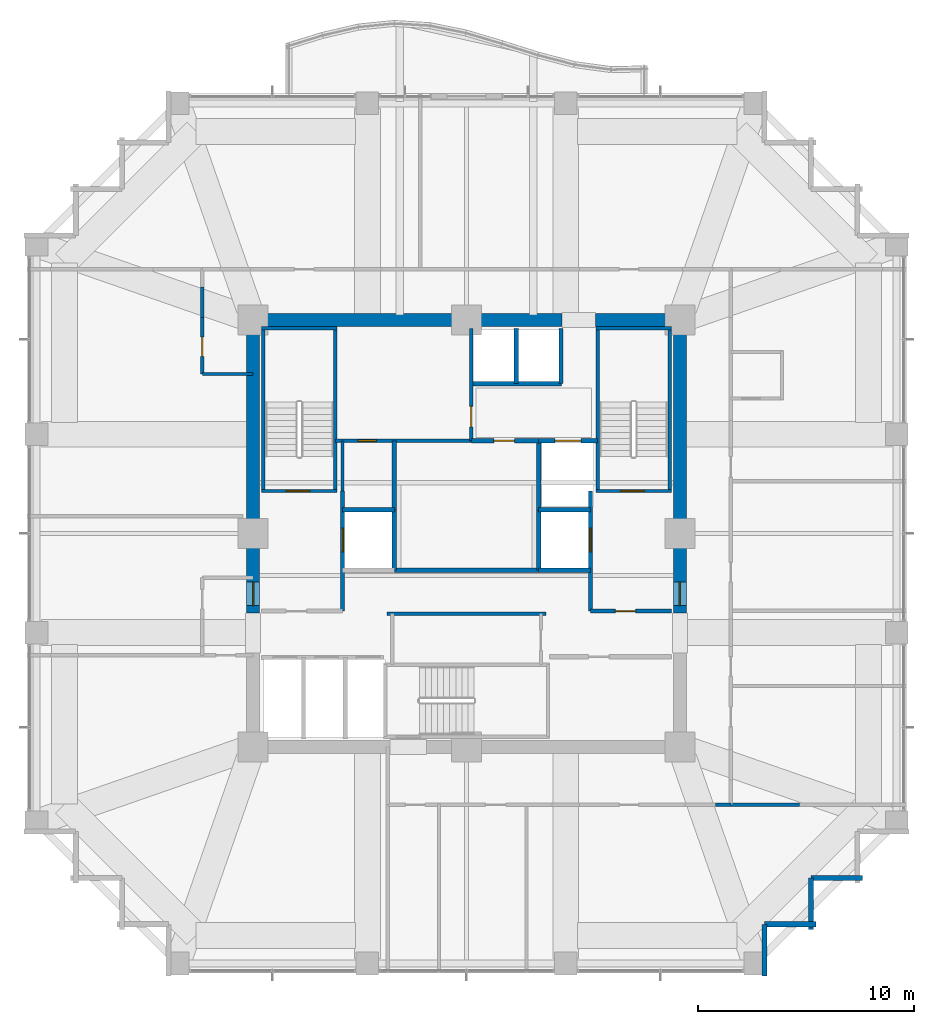
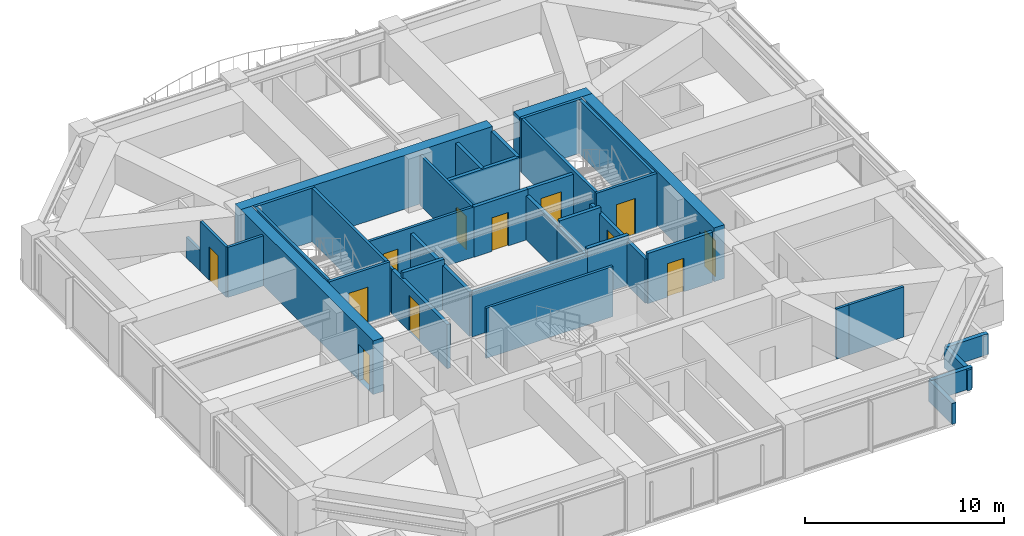
# One storey, part 31 of 34: 41 walls, 12 doors, 12 openings.
"""IFC4 building model written with IfcOpenShell, lengths in metres."""

from ifc_helpers import new_model, si_unit, direction, frame, frame_2d, origin, place, context, subcontext, project, spatial, rectangle, extrude, material, layer, layer_set, type_object, element, fill, save


model = new_model("IFC4")

# Units and contexts
model_context = context("Model", 3, precision=1e-05, world=origin(), true_north=direction((0.0, 1.0)))
body_context = subcontext(model_context, "Body", "Model", "MODEL_VIEW")
ifc_project = project(units=[si_unit("LENGTHUNIT", "METRE"), si_unit("AREAUNIT", "SQUARE_METRE"), si_unit("VOLUMEUNIT", "CUBIC_METRE"), si_unit("PLANEANGLEUNIT", "RADIAN"), si_unit("MASSUNIT", "GRAM", prefix="KILO")], contexts=[model_context])

# Site, building, storey
site_placement = place(None, origin())
site = spatial("IfcSite", under=ifc_project, at=site_placement, CompositionType="ELEMENT")
building_placement = place(site_placement, origin())
building = spatial("IfcBuilding", under=site, at=building_placement, Name="Kolvaren Belvedere", CompositionType="ELEMENT")
storey_placement = place(building_placement, frame((0.0, 0.0, 105.199951171875)))
storey = spatial("IfcBuildingStorey", under=building, at=storey_placement, Name="L30", CompositionType="ELEMENT", Elevation=105.199951171875)

# Walls
ifc_material_1 = material(Name="Concrete C60/75", Category="concrete")
ifc_layer_1 = layer(ifc_material_1, 0.60009765625)
ifc_layer_set_1 = layer_set([ifc_layer_1], Name="Concrete C60/75")
wall_type_1 = type_object("IfcWallType", Name="CW-CORE-600", PredefinedType="SHEAR", material=ifc_layer_set_1)
wall_1_placement = place(storey_placement, frame((-10.199951171875, 9.89990234375, 0.0), z_axis=(0.0, 0.0, 1.0), x_axis=(1.0, 0.0, 0.0)))
element("IfcWall", 1, at=wall_1_placement, inside=storey, type_object=wall_type_1, Name="L30 North Core Shear Wall 1", PredefinedType="SHEAR", context=body_context, shape_type="SweptSolid", body=[
    extrude(rectangle(XDim=14.619873046875, YDim=0.60009765625, at=frame_2d((7.31005859375, 0.0))), origin(), (0.0, 0.0, 1.0), 3.300048828125),
])
wall_2_placement = place(storey_placement, frame((5.97998046875, 9.89990234375, 0.0), z_axis=(0.0, 0.0, 1.0), x_axis=(1.0, 0.0, 0.0)))
element("IfcWall", 2, at=wall_2_placement, inside=storey, type_object=wall_type_1, Name="L30 North Core Shear Wall 2", PredefinedType="SHEAR", context=body_context, shape_type="SweptSolid", body=[
    extrude(rectangle(XDim=4.219970703125, YDim=0.60009765625, at=frame_2d((2.10986328125, 0.0))), origin(), (0.0, 0.0, 1.0), 3.300048828125),
])

# Wall, opening, door
wall_3_placement = place(storey_placement, frame((-9.89990234375, -3.699951171875, 0.0), z_axis=(0.0, 0.0, 1.0), x_axis=(0.0, 1.0, 0.0)))
wall_3 = element("IfcWall", 3, at=wall_3_placement, inside=storey, type_object=wall_type_1, Name="L30 West Core Shear Wall 2", PredefinedType="SHEAR", context=body_context, shape_type="SweptSolid", body=[
    extrude(rectangle(XDim=13.300048828125, YDim=0.60009765625, at=frame_2d((6.64990234375, 0.0))), origin(), (0.0, 0.0, 1.0), 3.300048828125),
])
opening_1_placement = place(wall_3_placement, frame((0.35009765625, 0.0, 0.0)))
opening_1 = element("IfcOpeningElement", 4, at=opening_1_placement, cuts=wall_3, Name="Opening D-FD90", PredefinedType="OPENING", context=body_context, shape_type="SweptSolid", body=[
    extrude(rectangle(XDim=1.10009765625, YDim=2.199951171875, at=frame_2d((0.550048828125, 1.10009765625))), frame((0.0, 0.31005859375, 0.0), z_axis=(0.0, -1.0, 0.0), x_axis=(1.0, 0.0, 0.0)), (0.0, 0.0, 1.0), 0.6201171875),
])
ifc_material_2 = material(Name="Painted hollow stainless steel", Category="steel")
door_type_1 = type_object("IfcDoorType", Name="DR-FD90-1100", OperationType="NOTDEFINED", PredefinedType="DOOR", material=ifc_material_2)
door_1_placement = place(opening_1_placement, origin())
door_1 = element("IfcDoor", 5, at=door_1_placement, inside=storey, type_object=door_type_1, Name="L30 West Firefighting Lobby Fire Door", OperationType="SINGLE_SWING_LEFT", OverallHeight=2.199951171875, OverallWidth=1.10009765625, PredefinedType="DOOR", context=body_context, shape_type="SweptSolid", body=[
    extrude(rectangle(XDim=1.10009765625, YDim=2.199951171875, at=frame_2d((0.550048828125, 1.10009765625))), frame((0.0, 0.02490234375, 0.0), z_axis=(0.0, -1.0, 0.0), x_axis=(1.0, 0.0, 0.0)), (0.0, 0.0, 1.0), 0.050048828125),
])
fill(opening_1, door_1)

wall_4_placement = place(storey_placement, frame((9.89990234375, -3.699951171875, 0.0), z_axis=(0.0, 0.0, 1.0), x_axis=(0.0, 1.0, 0.0)))
wall_4 = element("IfcWall", 6, at=wall_4_placement, inside=storey, type_object=wall_type_1, Name="L30 East Core Shear Wall 2", PredefinedType="SHEAR", context=body_context, shape_type="SweptSolid", body=[
    extrude(rectangle(XDim=13.300048828125, YDim=0.60009765625, at=frame_2d((6.64990234375, 0.0))), origin(), (0.0, 0.0, 1.0), 3.300048828125),
])
opening_2_placement = place(wall_4_placement, frame((0.35009765625, 0.0, 0.0)))
opening_2 = element("IfcOpeningElement", 7, at=opening_2_placement, cuts=wall_4, Name="Opening D-FD90", PredefinedType="OPENING", context=body_context, shape_type="SweptSolid", body=[
    extrude(rectangle(XDim=1.10009765625, YDim=2.199951171875, at=frame_2d((0.550048828125, 1.10009765625))), frame((0.0, 0.31005859375, 0.0), z_axis=(0.0, -1.0, 0.0), x_axis=(1.0, 0.0, 0.0)), (0.0, 0.0, 1.0), 0.6201171875),
])
door_2_placement = place(opening_2_placement, origin())
door_2 = element("IfcDoor", 8, at=door_2_placement, inside=storey, type_object=door_type_1, Name="L30 East Firefighting Lobby Fire Door", OperationType="SINGLE_SWING_RIGHT", OverallHeight=2.199951171875, OverallWidth=1.10009765625, PredefinedType="DOOR", context=body_context, shape_type="SweptSolid", body=[
    extrude(rectangle(XDim=1.10009765625, YDim=2.199951171875, at=frame_2d((0.550048828125, 1.10009765625))), frame((0.0, 0.02490234375, 0.0), z_axis=(0.0, -1.0, 0.0), x_axis=(1.0, 0.0, 0.0)), (0.0, 0.0, 1.0), 0.050048828125),
])
fill(opening_2, door_2)

ifc_material_3 = material(Name="Concrete C50/60", Category="concrete")
ifc_layer_2 = layer(ifc_material_3, 0.159912109375)
ifc_layer_set_2 = layer_set([ifc_layer_2], Name="Concrete C50/60")
wall_type_2 = type_object("IfcWallType", Name="CW-STAIR-160", PredefinedType="SHEAR", material=ifc_layer_set_2)
wall_5_placement = place(storey_placement, frame((-9.52001953125, 1.969970703125, 0.0), z_axis=(0.0, 0.0, 1.0), x_axis=(1.0, 0.0, 0.0)))
wall_5 = element("IfcWall", 9, at=wall_5_placement, inside=storey, type_object=wall_type_2, Name="L30 Stair ST-1 South Shear Wall", PredefinedType="SHEAR", context=body_context, shape_type="SweptSolid", body=[
    extrude(rectangle(XDim=3.52001953125, YDim=0.159912109375, at=frame_2d((1.760009765625, 0.0))), origin(), (0.0, 0.0, 1.0), 3.300048828125),
])
opening_3_placement = place(wall_5_placement, frame((1.14990234375, 0.0, 0.0)))
opening_3 = element("IfcOpeningElement", 10, at=opening_3_placement, cuts=wall_5, Name="Opening D-FD90", PredefinedType="OPENING", context=body_context, shape_type="SweptSolid", body=[
    extrude(rectangle(XDim=1.10009765625, YDim=2.199951171875, at=frame_2d((0.550048828125, 1.10009765625))), frame((0.0, 0.08984375, 0.0), z_axis=(0.0, -1.0, 0.0), x_axis=(1.0, 0.0, 0.0)), (0.0, 0.0, 1.0), 0.179931640625),
])
door_3_placement = place(opening_3_placement, origin())
door_3 = element("IfcDoor", 11, at=door_3_placement, inside=storey, type_object=door_type_1, Name="L30 Stair ST-1 Fire Door", OperationType="SINGLE_SWING_LEFT", OverallHeight=2.199951171875, OverallWidth=1.10009765625, PredefinedType="DOOR", context=body_context, shape_type="SweptSolid", body=[
    extrude(rectangle(XDim=1.10009765625, YDim=2.199951171875, at=frame_2d((0.550048828125, 1.10009765625))), frame((0.0, 0.02490234375, 0.0), z_axis=(0.0, -1.0, 0.0), x_axis=(1.0, 0.0, 0.0)), (0.0, 0.0, 1.0), 0.050048828125),
])
fill(opening_3, door_3)

# Walls
wall_6_placement = place(storey_placement, frame((-9.52001953125, 9.530029296875, 0.0), z_axis=(0.0, 0.0, 1.0), x_axis=(1.0, 0.0, 0.0)))
element("IfcWall", 12, at=wall_6_placement, inside=storey, type_object=wall_type_2, Name="L30 Stair ST-1 North Shear Wall", PredefinedType="SHEAR", context=body_context, shape_type="SweptSolid", body=[
    extrude(rectangle(XDim=3.52001953125, YDim=0.159912109375, at=frame_2d((1.760009765625, 0.0))), origin(), (0.0, 0.0, 1.0), 3.300048828125),
])
for number, where, z_axis, x_axis, name in (
    (13, (-9.429931640625, 1.969970703125, 0.0), (0.0, 0.0, 1.0), (0.0, 1.0, 0.0), "L30 Stair ST-1 West Shear Wall"),
    (14, (-6.080078125, 1.969970703125, 0.0), (0.0, 0.0, 1.0), (0.0, 1.0, 0.0), "L30 Stair ST-1 East Shear Wall"),
):
    element("IfcWall", number, at=place(storey_placement, frame(where, z_axis=z_axis, x_axis=x_axis)), inside=storey, type_object=wall_type_2, Name=name, PredefinedType="SHEAR", context=body_context, shape_type="SweptSolid", body=[
        extrude(rectangle(XDim=7.56005859375, YDim=0.159912109375, at=frame_2d((3.780029296875, 0.0))), origin(), (0.0, 0.0, 1.0), 3.300048828125),
    ])

# Wall, opening, door
wall_7_placement = place(storey_placement, frame((6.0, 1.969970703125, 0.0), z_axis=(0.0, 0.0, 1.0), x_axis=(1.0, 0.0, 0.0)))
wall_7 = element("IfcWall", 15, at=wall_7_placement, inside=storey, type_object=wall_type_2, Name="L30 Stair ST-2 South Shear Wall", PredefinedType="SHEAR", context=body_context, shape_type="SweptSolid", body=[
    extrude(rectangle(XDim=3.52001953125, YDim=0.159912109375, at=frame_2d((1.760009765625, 0.0))), origin(), (0.0, 0.0, 1.0), 3.300048828125),
])
opening_4_placement = place(wall_7_placement, frame((1.14990234375, 0.0, 0.0)))
opening_4 = element("IfcOpeningElement", 16, at=opening_4_placement, cuts=wall_7, Name="Opening D-FD90", PredefinedType="OPENING", context=body_context, shape_type="SweptSolid", body=[
    extrude(rectangle(XDim=1.10009765625, YDim=2.199951171875, at=frame_2d((0.550048828125, 1.10009765625))), frame((0.0, 0.08984375, 0.0), z_axis=(0.0, -1.0, 0.0), x_axis=(1.0, 0.0, 0.0)), (0.0, 0.0, 1.0), 0.179931640625),
])
door_4_placement = place(opening_4_placement, origin())
door_4 = element("IfcDoor", 17, at=door_4_placement, inside=storey, type_object=door_type_1, Name="L30 Stair ST-2 Fire Door", OperationType="SINGLE_SWING_RIGHT", OverallHeight=2.199951171875, OverallWidth=1.10009765625, PredefinedType="DOOR", context=body_context, shape_type="SweptSolid", body=[
    extrude(rectangle(XDim=1.10009765625, YDim=2.199951171875, at=frame_2d((0.550048828125, 1.10009765625))), frame((0.0, 0.02490234375, 0.0), z_axis=(0.0, -1.0, 0.0), x_axis=(1.0, 0.0, 0.0)), (0.0, 0.0, 1.0), 0.050048828125),
])
fill(opening_4, door_4)

# Walls
wall_8_placement = place(storey_placement, frame((6.0, 9.530029296875, 0.0), z_axis=(0.0, 0.0, 1.0), x_axis=(1.0, 0.0, 0.0)))
element("IfcWall", 18, at=wall_8_placement, inside=storey, type_object=wall_type_2, Name="L30 Stair ST-2 North Shear Wall", PredefinedType="SHEAR", context=body_context, shape_type="SweptSolid", body=[
    extrude(rectangle(XDim=3.52001953125, YDim=0.159912109375, at=frame_2d((1.760009765625, 0.0))), origin(), (0.0, 0.0, 1.0), 3.300048828125),
])
for number, where, z_axis, x_axis, name in (
    (19, (6.080078125, 1.969970703125, 0.0), (0.0, 0.0, 1.0), (0.0, 1.0, 0.0), "L30 Stair ST-2 West Shear Wall"),
    (20, (9.429931640625, 1.969970703125, 0.0), (0.0, 0.0, 1.0), (0.0, 1.0, 0.0), "L30 Stair ST-2 East Shear Wall"),
):
    element("IfcWall", number, at=place(storey_placement, frame(where, z_axis=z_axis, x_axis=x_axis)), inside=storey, type_object=wall_type_2, Name=name, PredefinedType="SHEAR", context=body_context, shape_type="SweptSolid", body=[
        extrude(rectangle(XDim=7.56005859375, YDim=0.159912109375, at=frame_2d((3.780029296875, 0.0))), origin(), (0.0, 0.0, 1.0), 3.300048828125),
    ])

# Wall, opening, door
ifc_material_4 = material(Name="Gypsum fire-rated partition assembly", Category="gypsum")
ifc_layer_3 = layer(ifc_material_4, 0.14990234375)
ifc_layer_set_3 = layer_set([ifc_layer_3], Name="Gypsum fire-rated partition assembly")
wall_type_3 = type_object("IfcWallType", Name="WL-CORR-150", PredefinedType="PARTITIONING", material=ifc_layer_set_3)
wall_9_placement = place(storey_placement, frame((-12.260009765625, 7.39990234375, 0.0), z_axis=(0.0, 0.0, 1.0), x_axis=(0.0, 1.0, 0.0)))
wall_9 = element("IfcWall", 21, at=wall_9_placement, inside=storey, type_object=wall_type_3, Name="L30 NW Corridor End Wall", PredefinedType="PARTITIONING", context=body_context, shape_type="SweptSolid", body=[
    extrude(rectangle(XDim=2.613525390625, YDim=0.14990234375, at=frame_2d((1.306640625, 0.0))), origin(), (0.0, 0.0, 1.0), 3.080078125),
])
opening_5_placement = place(wall_9_placement, frame((0.810302734375, 0.0, 0.0)))
opening_5 = element("IfcOpeningElement", 22, at=opening_5_placement, cuts=wall_9, Name="Opening D-INT90", PredefinedType="OPENING", context=body_context, shape_type="SweptSolid", body=[
    extrude(rectangle(XDim=0.89990234375, YDim=2.06005859375, at=frame_2d((0.449951171875, 1.030029296875))), frame((0.0, 0.0849609375, 0.0), z_axis=(0.0, -1.0, 0.0), x_axis=(1.0, 0.0, 0.0)), (0.0, 0.0, 1.0), 0.169921875),
])
ifc_material_5 = material(Name="Stained Pacific white oak", Category="timber")
door_type_2 = type_object("IfcDoorType", Name="DR-INT-900", OperationType="NOTDEFINED", PredefinedType="DOOR", material=ifc_material_5)
door_5_placement = place(opening_5_placement, origin())
door_5 = element("IfcDoor", 23, at=door_5_placement, inside=storey, type_object=door_type_2, Name="L30 Lounge 3007 Door", OperationType="SINGLE_SWING_RIGHT", OverallHeight=2.06005859375, OverallWidth=0.89990234375, PredefinedType="DOOR", context=body_context, shape_type="SweptSolid", body=[
    extrude(rectangle(XDim=0.89990234375, YDim=2.06005859375, at=frame_2d((0.449951171875, 1.030029296875))), frame((0.0, 0.02490234375, 0.0), z_axis=(0.0, -1.0, 0.0), x_axis=(1.0, 0.0, 0.0)), (0.0, 0.0, 1.0), 0.050048828125),
])
fill(opening_5, door_5)

# Walls
wall_10_placement = place(storey_placement, frame((-12.260009765625, 10.013427734375, 0.0), z_axis=(0.0, 0.0, 1.0), x_axis=(0.0, 1.0, 0.0)))
element("IfcWall", 24, at=wall_10_placement, inside=storey, type_object=wall_type_3, Name="L30 NW Corridor End Wall", PredefinedType="PARTITIONING", context=body_context, shape_type="SweptSolid", body=[
    extrude(rectangle(XDim=1.416748046875, YDim=0.14990234375, at=frame_2d((0.70849609375, 0.0))), origin(), (0.0, 0.0, 1.0), 1.26513671875),
])
wall_11_placement = place(storey_placement, frame((-12.260009765625, 7.39990234375, 0.0), z_axis=(0.0, 0.0, 1.0), x_axis=(1.0, 0.0, 0.0)))
element("IfcWall", 25, at=wall_11_placement, inside=storey, type_object=wall_type_3, Name="L30 NW Core Closure Wall", PredefinedType="PARTITIONING", context=body_context, shape_type="SweptSolid", body=[
    extrude(rectangle(XDim=2.360107421875, YDim=0.14990234375, at=frame_2d((1.18017578125, 0.0))), origin(), (0.0, 0.0, 1.0), 3.080078125),
])
wall_12_placement = place(storey_placement, frame((11.541748046875, -12.580078125, 0.0), z_axis=(0.0, 0.0, 1.0), x_axis=(1.0, 0.0, 0.0)))
element("IfcWall", 26, at=wall_12_placement, inside=storey, type_object=wall_type_3, Name="L30 South-East Corridor Wall", PredefinedType="PARTITIONING", context=body_context, shape_type="SweptSolid", body=[
    extrude(rectangle(XDim=0.71826171875, YDim=0.14990234375, at=frame_2d((0.359130859375, 0.0))), origin(), (0.0, 0.0, 1.0), 3.080078125),
])
ifc_material_6 = material(Name="Insulated pale-metal facade wall assembly", Category="aluminium")
ifc_layer_4 = layer(ifc_material_6, 0.239990234375)
ifc_layer_set_4 = layer_set([ifc_layer_4], Name="Insulated pale-metal facade wall assembly")
wall_type_4 = type_object("IfcWallType", Name="WL-EXT-240", PredefinedType="STANDARD", material=ifc_layer_set_4)
wall_13_placement = place(storey_placement, frame((13.830078125, -18.1298828125, 0.0), z_axis=(0.0, 0.0, 1.0), x_axis=(0.0, -1.0, 0.0)))
element("IfcWall", 27, at=wall_13_placement, inside=storey, type_object=wall_type_4, Name="L30 Serrated Corner Facade Wall 2", PredefinedType="STANDARD", context=body_context, shape_type="SweptSolid", body=[
    extrude(rectangle(XDim=2.39013671875, YDim=0.239990234375, at=frame_2d((1.195068359375, 0.0))), origin(), (0.0, 0.0, 1.0), 1.275146484375),
])
wall_14_placement = place(storey_placement, frame((16.219970703125, -18.1298828125, 0.0), z_axis=(0.0, 0.0, 1.0), x_axis=(-1.0, 0.0, 0.0)))
element("IfcWall", 28, at=wall_14_placement, inside=storey, type_object=wall_type_4, Name="L30 Serrated Corner Facade Wall 3", PredefinedType="STANDARD", context=body_context, shape_type="SweptSolid", body=[
    extrude(rectangle(XDim=2.389892578125, YDim=0.239990234375, at=frame_2d((1.19482421875, 0.0))), origin(), (0.0, 0.0, 1.0), 1.275146484375),
])
for number, where, z_axis, x_axis, name in (
    (29, (15.97998046875, -15.97998046875, 0.0), (0.0, 0.0, 1.0), (0.0, -1.0, 0.0), "L30 Serrated Corner Facade Wall 4"),
    (30, (18.3701171875, -15.97998046875, 0.0), (0.0, 0.0, 1.0), (-1.0, 0.0, 0.0), "L30 Serrated Corner Facade Wall 5"),
):
    element("IfcWall", number, at=place(storey_placement, frame(where, z_axis=z_axis, x_axis=x_axis)), inside=storey, type_object=wall_type_4, Name=name, PredefinedType="STANDARD", context=body_context, shape_type="SweptSolid", body=[
        extrude(rectangle(XDim=2.39013671875, YDim=0.239990234375, at=frame_2d((1.195068359375, 0.0))), origin(), (0.0, 0.0, 1.0), 1.275146484375),
    ])

# Wall, opening, door
ifc_material_7 = material(Name="Gypsum acoustic partition assembly", Category="gypsum")
ifc_layer_5 = layer(ifc_material_7, 0.14990234375)
ifc_layer_set_5 = layer_set([ifc_layer_5], Name="Gypsum acoustic partition assembly")
wall_type_5 = type_object("IfcWallType", Name="WL-PART-150", PredefinedType="PARTITIONING", material=ifc_layer_set_5)
wall_15_placement = place(storey_placement, frame((-6.080078125, 4.300048828125, 0.0), z_axis=(0.0, 0.0, 1.0), x_axis=(1.0, 0.0, 0.0)))
wall_15 = element("IfcWall", 31, at=wall_15_placement, inside=storey, type_object=wall_type_5, Name="L30 Reclaimed Salon South Wall", PredefinedType="PARTITIONING", context=body_context, shape_type="SweptSolid", body=[
    extrude(rectangle(XDim=6.300048828125, YDim=0.14990234375, at=frame_2d((3.14990234375, 0.0))), origin(), (0.0, 0.0, 1.0), 3.080078125),
])
opening_6_placement = place(wall_15_placement, frame((1.050048828125, 0.0, 0.0)))
opening_6 = element("IfcOpeningElement", 32, at=opening_6_placement, cuts=wall_15, Name="Opening D-INT85", PredefinedType="OPENING", context=body_context, shape_type="SweptSolid", body=[
    extrude(rectangle(XDim=0.85009765625, YDim=2.030029296875, at=frame_2d((0.425048828125, 1.01513671875))), frame((0.0, 0.0849609375, 0.0), z_axis=(0.0, -1.0, 0.0), x_axis=(1.0, 0.0, 0.0)), (0.0, 0.0, 1.0), 0.169921875),
])
ifc_material_8 = material(Name="Stained Pacific white oak", Category="timber")
door_type_3 = type_object("IfcDoorType", Name="DR-INT-850", OperationType="NOTDEFINED", PredefinedType="DOOR", material=ifc_material_8)
door_6_placement = place(opening_6_placement, origin())
door_6 = element("IfcDoor", 33, at=door_6_placement, inside=storey, type_object=door_type_3, Name="L30 NW Core Store Door", OperationType="SINGLE_SWING_RIGHT", OverallHeight=2.030029296875, OverallWidth=0.85009765625, PredefinedType="DOOR", context=body_context, shape_type="SweptSolid", body=[
    extrude(rectangle(XDim=0.85009765625, YDim=2.030029296875, at=frame_2d((0.425048828125, 1.01513671875))), frame((0.0, 0.02490234375, 0.0), z_axis=(0.0, -1.0, 0.0), x_axis=(1.0, 0.0, 0.0)), (0.0, 0.0, 1.0), 0.050048828125),
])
fill(opening_6, door_6)

wall_16_placement = place(storey_placement, frame((0.219970703125, 4.300048828125, 0.0), z_axis=(0.0, 0.0, 1.0), x_axis=(0.0, 1.0, 0.0)))
wall_16 = element("IfcWall", 34, at=wall_16_placement, inside=storey, type_object=wall_type_5, Name="L30 Reclaimed Salon East Wall", PredefinedType="PARTITIONING", context=body_context, shape_type="SweptSolid", body=[
    extrude(rectangle(XDim=5.219970703125, YDim=0.14990234375, at=frame_2d((2.60986328125, 0.0))), origin(), (0.0, 0.0, 1.0), 3.080078125),
])
opening_7_placement = place(wall_16_placement, frame((0.64990234375, 0.0, 0.0)))
opening_7 = element("IfcOpeningElement", 35, at=opening_7_placement, cuts=wall_16, Name="Opening D-INT95", PredefinedType="OPENING", context=body_context, shape_type="SweptSolid", body=[
    extrude(rectangle(XDim=0.949951171875, YDim=2.06005859375, at=frame_2d((0.47509765625, 1.030029296875))), frame((0.0, 0.0849609375, 0.0), z_axis=(0.0, -1.0, 0.0), x_axis=(1.0, 0.0, 0.0)), (0.0, 0.0, 1.0), 0.169921875),
])
ifc_material_9 = material(Name="Stained Pacific white oak", Category="timber")
door_type_4 = type_object("IfcDoorType", Name="DR-INT-950", OperationType="NOTDEFINED", PredefinedType="DOOR", material=ifc_material_9)
door_7_placement = place(opening_7_placement, origin())
door_7 = element("IfcDoor", 36, at=door_7_placement, inside=storey, type_object=door_type_4, Name="L30 Botanical Reading Salon Door", OperationType="SINGLE_SWING_LEFT", OverallHeight=2.06005859375, OverallWidth=0.949951171875, PredefinedType="DOOR", context=body_context, shape_type="SweptSolid", body=[
    extrude(rectangle(XDim=0.949951171875, YDim=2.06005859375, at=frame_2d((0.47509765625, 1.030029296875))), frame((0.0, 0.02490234375, 0.0), z_axis=(0.0, -1.0, 0.0), x_axis=(1.0, 0.0, 0.0)), (0.0, 0.0, 1.0), 0.050048828125),
])
fill(opening_7, door_7)

# Walls
wall_17_placement = place(storey_placement, frame((-3.679931640625, -3.719970703125, 0.0), z_axis=(0.0, 0.0, 1.0), x_axis=(1.0, 0.0, 0.0)))
element("IfcWall", 37, at=wall_17_placement, inside=storey, type_object=wall_type_5, Name="L30 South Core Service North Wall", PredefinedType="PARTITIONING", context=body_context, shape_type="SweptSolid", body=[
    extrude(rectangle(XDim=7.35986328125, YDim=0.14990234375, at=frame_2d((3.679931640625, 0.0))), origin(), (0.0, 0.0, 1.0), 3.080078125),
])
wall_18_placement = place(storey_placement, frame((-5.75, 1.969970703125, 0.0), z_axis=(0.0, 0.0, 1.0), x_axis=(0.0, 1.0, 0.0)))
element("IfcWall", 38, at=wall_18_placement, inside=storey, type_object=wall_type_5, Name="L30 NW Service Room West Wall", PredefinedType="PARTITIONING", context=body_context, shape_type="SweptSolid", body=[
    extrude(rectangle(XDim=2.330078125, YDim=0.14990234375, at=frame_2d((1.1650390625, 0.0))), origin(), (0.0, 0.0, 1.0), 2.715087890625),
])
wall_19_placement = place(storey_placement, frame((12.260009765625, -12.580078125, 0.0), z_axis=(0.0, 0.0, 1.0), x_axis=(1.0, 0.0, 0.0)))
element("IfcWall", 39, at=wall_19_placement, inside=storey, type_object=wall_type_5, Name="L30 Wing Divider PW-L30-QSE", PredefinedType="PARTITIONING", context=body_context, shape_type="SweptSolid", body=[
    extrude(rectangle(XDim=3.19482421875, YDim=0.14990234375, at=frame_2d((1.597412109375, 0.0))), origin(), (0.0, 0.0, 1.0), 3.080078125),
])

# Wall, opening, door
ifc_material_10 = material(Name="Concrete C50/60", Category="concrete")
ifc_layer_6 = layer(ifc_material_10, 0.199951171875)
ifc_layer_set_6 = layer_set([ifc_layer_6], Name="Concrete C50/60")
wall_type_6 = type_object("IfcWallType", Name="WL-SHAFT-200", PredefinedType="SOLIDWALL", material=ifc_layer_set_6)
wall_20_placement = place(storey_placement, frame((-5.75, -3.60009765625, 0.0), z_axis=(0.0, 0.0, 1.0), x_axis=(0.0, 1.0, 0.0)))
wall_20 = element("IfcWall", 40, at=wall_20_placement, inside=storey, type_object=wall_type_6, Name="L30 FSAE FS1 Landing Wall", PredefinedType="SOLIDWALL", context=body_context, shape_type="SweptSolid", body=[
    extrude(rectangle(XDim=5.570068359375, YDim=0.199951171875, at=frame_2d((2.78515625, 0.0))), origin(), (0.0, 0.0, 1.0), 2.715087890625),
])
opening_8_placement = place(wall_20_placement, frame((2.75, 0.0, 0.0)))
opening_8 = element("IfcOpeningElement", 41, at=opening_8_placement, cuts=wall_20, Name="Opening LD-11", PredefinedType="OPENING", context=body_context, shape_type="SweptSolid", body=[
    extrude(rectangle(XDim=1.10009765625, YDim=2.199951171875, at=frame_2d((0.550048828125, 1.10009765625))), frame((0.0, 0.10986328125, 0.0), z_axis=(0.0, -1.0, 0.0), x_axis=(1.0, 0.0, 0.0)), (0.0, 0.0, 1.0), 0.219970703125),
])
ifc_material_11 = material(Name="Brushed stainless steel", Category="steel")
door_type_5 = type_object("IfcDoorType", Name="DR-LIFT-1100", OperationType="DOUBLE_DOOR_SLIDING", PredefinedType="DOOR", material=ifc_material_11)
door_8_placement = place(opening_8_placement, origin())
door_8 = element("IfcDoor", 42, at=door_8_placement, inside=storey, type_object=door_type_5, Name="L30 Firefighting Lift FS1 Landing Door", OperationType="DOUBLE_DOOR_SLIDING", OverallHeight=2.199951171875, OverallWidth=1.10009765625, PredefinedType="DOOR", context=body_context, shape_type="SweptSolid", body=[
    extrude(rectangle(XDim=1.10009765625, YDim=2.199951171875, at=frame_2d((0.550048828125, 1.10009765625))), frame((0.0, 0.02490234375, 0.0), z_axis=(0.0, -1.0, 0.0), x_axis=(1.0, 0.0, 0.0)), (0.0, 0.0, 1.0), 0.050048828125),
])
fill(opening_8, door_8)

# Walls
wall_21_placement = place(storey_placement, frame((-3.35009765625, -1.699951171875, 0.0), z_axis=(0.0, 0.0, 1.0), x_axis=(0.0, 1.0, 0.0)))
element("IfcWall", 43, at=wall_21_placement, inside=storey, type_object=wall_type_6, Name="L30 FSAE FS1 Back Wall", PredefinedType="SOLIDWALL", context=body_context, shape_type="SweptSolid", body=[
    extrude(rectangle(XDim=2.800048828125, YDim=0.199951171875, at=frame_2d((1.39990234375, 0.0))), origin(), (0.0, 0.0, 1.0), 2.715087890625),
])
wall_22_placement = place(storey_placement, frame((-5.75, 1.10009765625, 0.0), z_axis=(0.0, 0.0, 1.0), x_axis=(1.0, 0.0, 0.0)))
element("IfcWall", 44, at=wall_22_placement, inside=storey, type_object=wall_type_6, Name="L30 FSAE FS1 North Wall", PredefinedType="SOLIDWALL", context=body_context, shape_type="SweptSolid", body=[
    extrude(rectangle(XDim=2.39990234375, YDim=0.199951171875, at=frame_2d((1.199951171875, 0.0))), origin(), (0.0, 0.0, 1.0), 3.080078125),
])

# Wall, opening, door
wall_23_placement = place(storey_placement, frame((5.75, -3.60009765625, 0.0), z_axis=(0.0, 0.0, 1.0), x_axis=(1.0, 0.0, 0.0)))
wall_23 = element("IfcWall", 45, at=wall_23_placement, inside=storey, type_object=wall_type_6, Name="L30 East FSAE Lobby South Wall", PredefinedType="SOLIDWALL", context=body_context, shape_type="SweptSolid", body=[
    extrude(rectangle(XDim=3.77001953125, YDim=0.199951171875, at=frame_2d((1.885009765625, 0.0))), origin(), (0.0, 0.0, 1.0), 3.080078125),
])
opening_9_placement = place(wall_23_placement, frame((1.14990234375, 0.0, 0.0)))
opening_9 = element("IfcOpeningElement", 46, at=opening_9_placement, cuts=wall_23, Name="Opening D-FD60", PredefinedType="OPENING", context=body_context, shape_type="SweptSolid", body=[
    extrude(rectangle(XDim=0.949951171875, YDim=2.06005859375, at=frame_2d((0.47509765625, 1.030029296875))), frame((0.0, 0.10986328125, 0.0), z_axis=(0.0, -1.0, 0.0), x_axis=(1.0, 0.0, 0.0)), (0.0, 0.0, 1.0), 0.219970703125),
])
ifc_material_12 = material(Name="Acoustic white-oak fire door leaf", Category="timber")
door_type_6 = type_object("IfcDoorType", Name="DR-FD60-950", OperationType="NOTDEFINED", PredefinedType="DOOR", material=ifc_material_12)
door_9_placement = place(opening_9_placement, origin())
door_9 = element("IfcDoor", 47, at=door_9_placement, inside=storey, type_object=door_type_6, Name="L30 SE Lift Lobby Fire Door", OperationType="SINGLE_SWING_RIGHT", OverallHeight=2.06005859375, OverallWidth=0.949951171875, PredefinedType="DOOR", context=body_context, shape_type="SweptSolid", body=[
    extrude(rectangle(XDim=0.949951171875, YDim=2.06005859375, at=frame_2d((0.47509765625, 1.030029296875))), frame((0.0, 0.02490234375, 0.0), z_axis=(0.0, -1.0, 0.0), x_axis=(1.0, 0.0, 0.0)), (0.0, 0.0, 1.0), 0.050048828125),
])
fill(opening_9, door_9)

wall_24_placement = place(storey_placement, frame((5.75, -3.60009765625, 0.0), z_axis=(0.0, 0.0, 1.0), x_axis=(0.0, 1.0, 0.0)))
wall_24 = element("IfcWall", 48, at=wall_24_placement, inside=storey, type_object=wall_type_6, Name="L30 FSAE FS2 Landing Wall", PredefinedType="SOLIDWALL", context=body_context, shape_type="SweptSolid", body=[
    extrude(rectangle(XDim=5.570068359375, YDim=0.199951171875, at=frame_2d((2.78515625, 0.0))), origin(), (0.0, 0.0, 1.0), 2.715087890625),
])
opening_10_placement = place(wall_24_placement, frame((2.75, 0.0, 0.0)))
opening_10 = element("IfcOpeningElement", 49, at=opening_10_placement, cuts=wall_24, Name="Opening LD-11", PredefinedType="OPENING", context=body_context, shape_type="SweptSolid", body=[
    extrude(rectangle(XDim=1.10009765625, YDim=2.199951171875, at=frame_2d((0.550048828125, 1.10009765625))), frame((0.0, 0.10986328125, 0.0), z_axis=(0.0, -1.0, 0.0), x_axis=(1.0, 0.0, 0.0)), (0.0, 0.0, 1.0), 0.219970703125),
])
door_10_placement = place(opening_10_placement, origin())
door_10 = element("IfcDoor", 50, at=door_10_placement, inside=storey, type_object=door_type_5, Name="L30 Firefighting Lift FS2 Landing Door", OperationType="DOUBLE_DOOR_SLIDING", OverallHeight=2.199951171875, OverallWidth=1.10009765625, PredefinedType="DOOR", context=body_context, shape_type="SweptSolid", body=[
    extrude(rectangle(XDim=1.10009765625, YDim=2.199951171875, at=frame_2d((0.550048828125, 1.10009765625))), frame((0.0, 0.02490234375, 0.0), z_axis=(0.0, -1.0, 0.0), x_axis=(1.0, 0.0, 0.0)), (0.0, 0.0, 1.0), 0.050048828125),
])
fill(opening_10, door_10)

# Walls
wall_25_placement = place(storey_placement, frame((3.35009765625, -1.699951171875, 0.0), z_axis=(0.0, 0.0, 1.0), x_axis=(0.0, 1.0, 0.0)))
element("IfcWall", 51, at=wall_25_placement, inside=storey, type_object=wall_type_6, Name="L30 FSAE FS2 Back Wall", PredefinedType="SOLIDWALL", context=body_context, shape_type="SweptSolid", body=[
    extrude(rectangle(XDim=2.800048828125, YDim=0.199951171875, at=frame_2d((1.39990234375, 0.0))), origin(), (0.0, 0.0, 1.0), 2.715087890625),
])
for number, where, z_axis, x_axis, name in (
    (52, (3.35009765625, -1.699951171875, 0.0), (0.0, 0.0, 1.0), (1.0, 0.0, 0.0), "L30 FSAE FS2 South Wall"),
    (53, (3.35009765625, 1.10009765625, 0.0), (0.0, 0.0, 1.0), (1.0, 0.0, 0.0), "L30 FSAE FS2 North Wall"),
):
    element("IfcWall", number, at=place(storey_placement, frame(where, z_axis=z_axis, x_axis=x_axis)), inside=storey, type_object=wall_type_6, Name=name, PredefinedType="SOLIDWALL", context=body_context, shape_type="SweptSolid", body=[
        extrude(rectangle(XDim=2.39990234375, YDim=0.199951171875, at=frame_2d((1.199951171875, 0.0))), origin(), (0.0, 0.0, 1.0), 3.080078125),
    ])

# Wall, opening, door
wall_26_placement = place(storey_placement, frame((3.35009765625, 4.300048828125, 0.0), z_axis=(0.0, 0.0, 1.0), x_axis=(1.0, 0.0, 0.0)))
wall_26 = element("IfcWall", 54, at=wall_26_placement, inside=storey, type_object=wall_type_6, Name="L30 Service Lift SV1 Front Wall", PredefinedType="SOLIDWALL", context=body_context, shape_type="SweptSolid", body=[
    extrude(rectangle(XDim=2.72998046875, YDim=0.199951171875, at=frame_2d((1.364990234375, 0.0))), origin(), (0.0, 0.0, 1.0), 3.080078125),
])
opening_11_placement = place(wall_26_placement, frame((0.75, 0.0, 0.0)))
opening_11 = element("IfcOpeningElement", 55, at=opening_11_placement, cuts=wall_26, Name="Opening LD-12", PredefinedType="OPENING", context=body_context, shape_type="SweptSolid", body=[
    extrude(rectangle(XDim=1.199951171875, YDim=2.25, at=frame_2d((0.60009765625, 1.125))), frame((0.0, 0.10986328125, 0.0), z_axis=(0.0, -1.0, 0.0), x_axis=(1.0, 0.0, 0.0)), (0.0, 0.0, 1.0), 0.219970703125),
])
ifc_material_13 = material(Name="Brushed stainless steel", Category="steel")
door_type_7 = type_object("IfcDoorType", Name="DR-LIFT-1200", OperationType="DOUBLE_DOOR_SLIDING", PredefinedType="DOOR", material=ifc_material_13)
door_11_placement = place(opening_11_placement, origin())
door_11 = element("IfcDoor", 56, at=door_11_placement, inside=storey, type_object=door_type_7, Name="L30 Service Lift SV1 Landing Door", OperationType="DOUBLE_DOOR_SLIDING", OverallHeight=2.25, OverallWidth=1.199951171875, PredefinedType="DOOR", context=body_context, shape_type="SweptSolid", body=[
    extrude(rectangle(XDim=1.199951171875, YDim=2.25, at=frame_2d((0.60009765625, 1.125))), frame((0.0, 0.02490234375, 0.0), z_axis=(0.0, -1.0, 0.0), x_axis=(1.0, 0.0, 0.0)), (0.0, 0.0, 1.0), 0.050048828125),
])
fill(opening_11, door_11)

# Walls
wall_27_placement = place(storey_placement, frame((0.219970703125, 6.949951171875, 0.0), z_axis=(0.0, 0.0, 1.0), x_axis=(1.0, 0.0, 0.0)))
element("IfcWall", 57, at=wall_27_placement, inside=storey, type_object=wall_type_6, Name="L30 Express Shuttle Hoistway Wall", PredefinedType="SOLIDWALL", context=body_context, shape_type="SweptSolid", body=[
    extrude(rectangle(XDim=4.179931640625, YDim=0.199951171875, at=frame_2d((2.08984375, 0.0))), origin(), (0.0, 0.0, 1.0), 3.080078125),
])
for number, where, z_axis, x_axis, name in (
    (58, (4.3798828125, 6.949951171875, 0.0), (0.0, 0.0, 1.0), (0.0, 1.0, 0.0), "L30 Express Shuttle East Wall"),
    (59, (2.31005859375, 6.949951171875, 0.0), (0.0, 0.0, 1.0), (0.0, 1.0, 0.0), "L30 Express Shuttle Divider"),
):
    element("IfcWall", number, at=place(storey_placement, frame(where, z_axis=z_axis, x_axis=x_axis)), inside=storey, type_object=wall_type_6, Name=name, PredefinedType="SOLIDWALL", context=body_context, shape_type="SweptSolid", body=[
        extrude(rectangle(XDim=2.570068359375, YDim=0.199951171875, at=frame_2d((1.28515625, 0.0))), origin(), (0.0, 0.0, 1.0), 3.080078125),
    ])

# Wall, opening, door
wall_28_placement = place(storey_placement, frame((0.219970703125, 4.300048828125, 0.0), z_axis=(0.0, 0.0, 1.0), x_axis=(1.0, 0.0, 0.0)))
wall_28 = element("IfcWall", 60, at=wall_28_placement, inside=storey, type_object=wall_type_6, Name="L30 Central Core Room North Wall", PredefinedType="SOLIDWALL", context=body_context, shape_type="SweptSolid", body=[
    extrude(rectangle(XDim=3.130126953125, YDim=0.199951171875, at=frame_2d((1.56494140625, 0.0))), origin(), (0.0, 0.0, 1.0), 3.080078125),
])
opening_12_placement = place(wall_28_placement, frame((1.050048828125, 0.0, 0.0)))
opening_12 = element("IfcOpeningElement", 61, at=opening_12_placement, cuts=wall_28, Name="Opening D-FD60", PredefinedType="OPENING", context=body_context, shape_type="SweptSolid", body=[
    extrude(rectangle(XDim=0.949951171875, YDim=2.06005859375, at=frame_2d((0.47509765625, 1.030029296875))), frame((0.0, 0.10986328125, 0.0), z_axis=(0.0, -1.0, 0.0), x_axis=(1.0, 0.0, 0.0)), (0.0, 0.0, 1.0), 0.219970703125),
])
door_12_placement = place(opening_12_placement, origin())
door_12 = element("IfcDoor", 62, at=door_12_placement, inside=storey, type_object=door_type_6, Name="L30 Central Core Controls Door", OperationType="SINGLE_SWING_LEFT", OverallHeight=2.06005859375, OverallWidth=0.949951171875, PredefinedType="DOOR", context=body_context, shape_type="SweptSolid", body=[
    extrude(rectangle(XDim=0.949951171875, YDim=2.06005859375, at=frame_2d((0.47509765625, 1.030029296875))), frame((0.0, 0.02490234375, 0.0), z_axis=(0.0, -1.0, 0.0), x_axis=(1.0, 0.0, 0.0)), (0.0, 0.0, 1.0), 0.050048828125),
])
fill(opening_12, door_12)

# Walls
wall_29_placement = place(storey_placement, frame((-3.35009765625, -1.699951171875, 0.0), z_axis=(0.0, 0.0, 1.0), x_axis=(1.0, 0.0, 0.0)))
element("IfcWall", 63, at=wall_29_placement, inside=storey, type_object=wall_type_6, Name="L30 Central Core Room South Wall", PredefinedType="SOLIDWALL", context=body_context, shape_type="SweptSolid", body=[
    extrude(rectangle(XDim=6.7001953125, YDim=0.199951171875, at=frame_2d((3.35009765625, 0.0))), origin(), (0.0, 0.0, 1.0), 2.715087890625),
])
for number, where, z_axis, x_axis, name in (
    (64, (-3.35009765625, 1.10009765625, 0.0), (0.0, 0.0, 1.0), (0.0, 1.0, 0.0), "L30 Central Core Room West Wall"),
    (65, (3.35009765625, 1.10009765625, 0.0), (0.0, 0.0, 1.0), (0.0, 1.0, 0.0), "L30 Central Core Room East Wall"),
):
    element("IfcWall", number, at=place(storey_placement, frame(where, z_axis=z_axis, x_axis=x_axis)), inside=storey, type_object=wall_type_6, Name=name, PredefinedType="SOLIDWALL", context=body_context, shape_type="SweptSolid", body=[
        extrude(rectangle(XDim=3.199951171875, YDim=0.199951171875, at=frame_2d((1.60009765625, 0.0))), origin(), (0.0, 0.0, 1.0), 2.715087890625),
    ])

save(model, "model.ifc")
